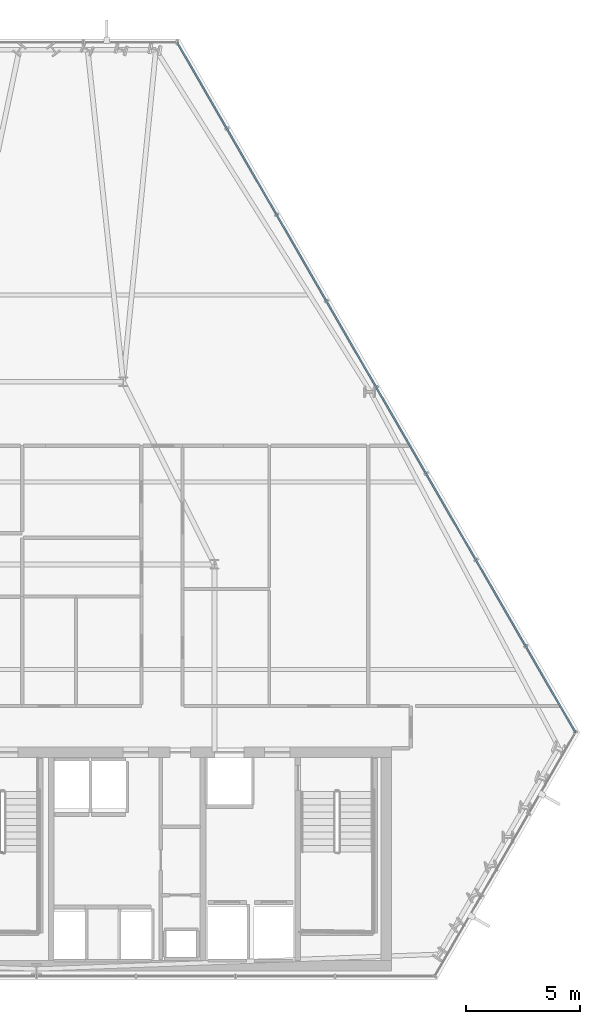
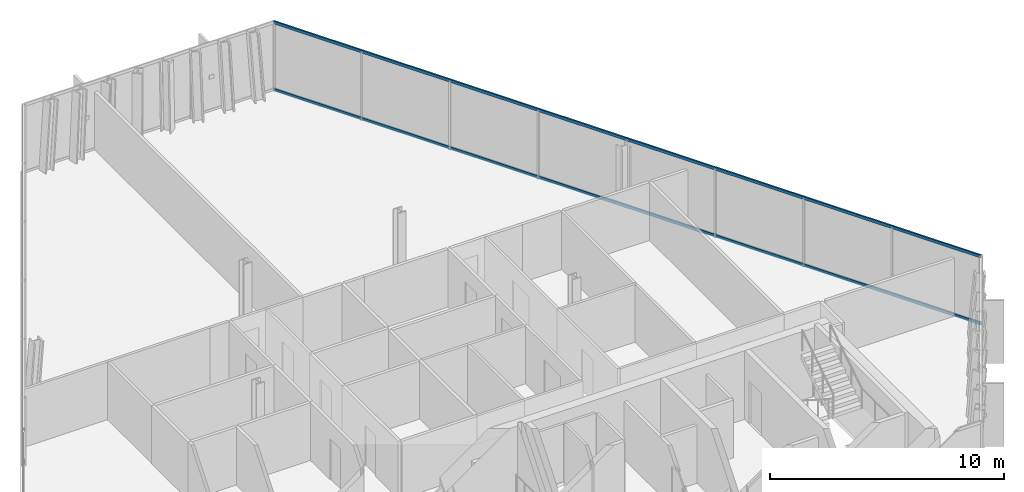
# One storey, part 18 of 32: 2 members, 1 element without a shape of its own.
"""IFC4 building model written with IfcOpenShell, lengths in metres."""

from ifc_helpers import new_model, si_unit, direction, frame, origin, origin_2d, place, context, subcontext, project, spatial, hollow_rectangle, extrude, material, layer, layer_set, material_profile, profile_set, type_object, element, aggregate, save


model = new_model("IFC4")

# Units and contexts
model_context = context("Model", 3, precision=1e-05, world=origin(), true_north=direction((0.0, 1.0)))
body_context = subcontext(model_context, "Body", "Model", "MODEL_VIEW")
ifc_project = project(units=[si_unit("LENGTHUNIT", "METRE"), si_unit("AREAUNIT", "SQUARE_METRE"), si_unit("VOLUMEUNIT", "CUBIC_METRE"), si_unit("PLANEANGLEUNIT", "RADIAN"), si_unit("MASSUNIT", "GRAM", prefix="KILO")], contexts=[model_context])

# Site, building, storey
site_placement = place(None, origin())
site = spatial("IfcSite", under=ifc_project, at=site_placement, CompositionType="ELEMENT")
building_placement = place(site_placement, origin())
building = spatial("IfcBuilding", under=site, at=building_placement, Name="Ndaravel Arena Tower", CompositionType="ELEMENT")
storey_placement = place(building_placement, frame((0.0, 0.0, 134.60009765625)))
storey = spatial("IfcBuildingStorey", under=building, at=storey_placement, Name="L31", CompositionType="ELEMENT", Elevation=134.60009765625)

# Curtain wall, members
ifc_material_1 = material(Name="Aluminium", Category="aluminium")
ifc_layer = layer(ifc_material_1, 0.179931640625)
ifc_layer_set = layer_set([ifc_layer], Name="Aluminium")
curtain_wall_type = type_object("IfcCurtainWallType", Name="CW-SYS-03", PredefinedType="NOTDEFINED", material=ifc_layer_set)
curtain_wall_placement = place(storey_placement, origin())
curtain_wall = element("IfcCurtainWall", 1, at=curtain_wall_placement, inside=storey, type_object=curtain_wall_type, Name="L31 Faceted Crystal Curtain Wall CW-L31-E03", PredefinedType="NOTDEFINED")
ifc_material_2 = material(Name="Aluminium", Category="aluminium")
ifc_material_profile = material_profile(ifc_material_2, hollow_rectangle(XDim=0.074951171875, YDim=0.14990234375, WallThickness=0.00390625, at=origin_2d()), Name="CW TRANSOM 75x150x4")
ifc_profile_set = profile_set([ifc_material_profile], Name="Aluminium")
member_type = type_object("IfcMemberType", Name="MEM-CW-TRN150", PredefinedType="USERDEFINED", material=ifc_profile_set)
member_1_placement = place(storey_placement, frame((65.611328125, 15.841064453125, 0.039794921875), z_axis=(-0.499997655819, 0.866026757194, 0.0), x_axis=(-0.866026757194, -0.499997655819, 0.0)))
member_1 = element("IfcMember", 2, at=member_1_placement, type_object=member_type, Name="CW-L31-E03 Transom 01", ObjectType="TRANSOM", PredefinedType="USERDEFINED", context=body_context, shape_type="SweptSolid", body=[
    extrude(hollow_rectangle(XDim=0.074951171875, YDim=0.14990234375, WallThickness=0.00390625, at=origin_2d()), origin(), (0.0, 0.0, 1.0), 34.889404296875),
])
member_2_placement = place(storey_placement, frame((65.611328125, 15.841064453125, 3.539794921875), z_axis=(-0.499997655819, 0.866026757194, 0.0), x_axis=(-0.866026757194, -0.499997655819, 0.0)))
member_2 = element("IfcMember", 3, at=member_2_placement, type_object=member_type, Name="CW-L31-E03 Transom 02", ObjectType="TRANSOM", PredefinedType="USERDEFINED", context=body_context, shape_type="SweptSolid", body=[
    extrude(hollow_rectangle(XDim=0.074951171875, YDim=0.14990234375, WallThickness=0.00390625, at=origin_2d()), origin(), (0.0, 0.0, 1.0), 34.889404296875),
])
aggregate(curtain_wall, [member_1, member_2])

save(model, "model.ifc")
